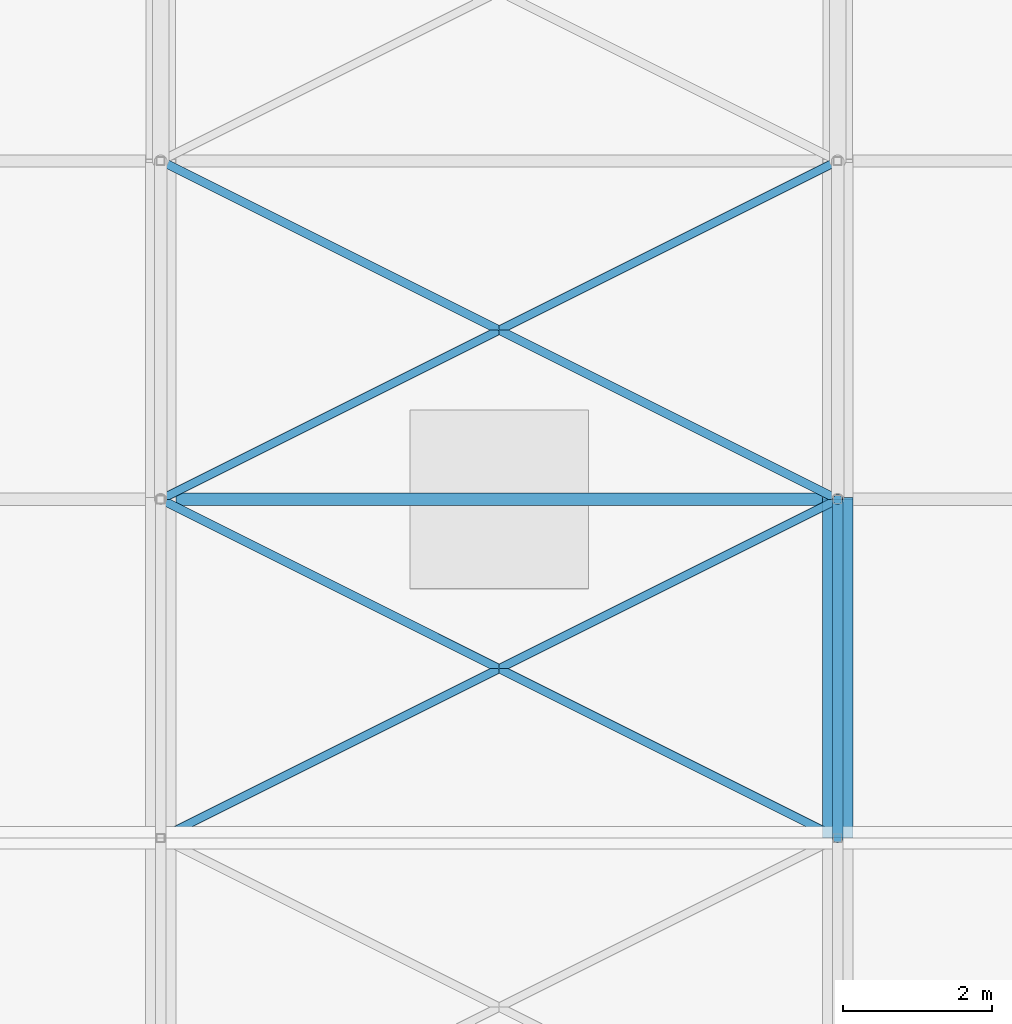
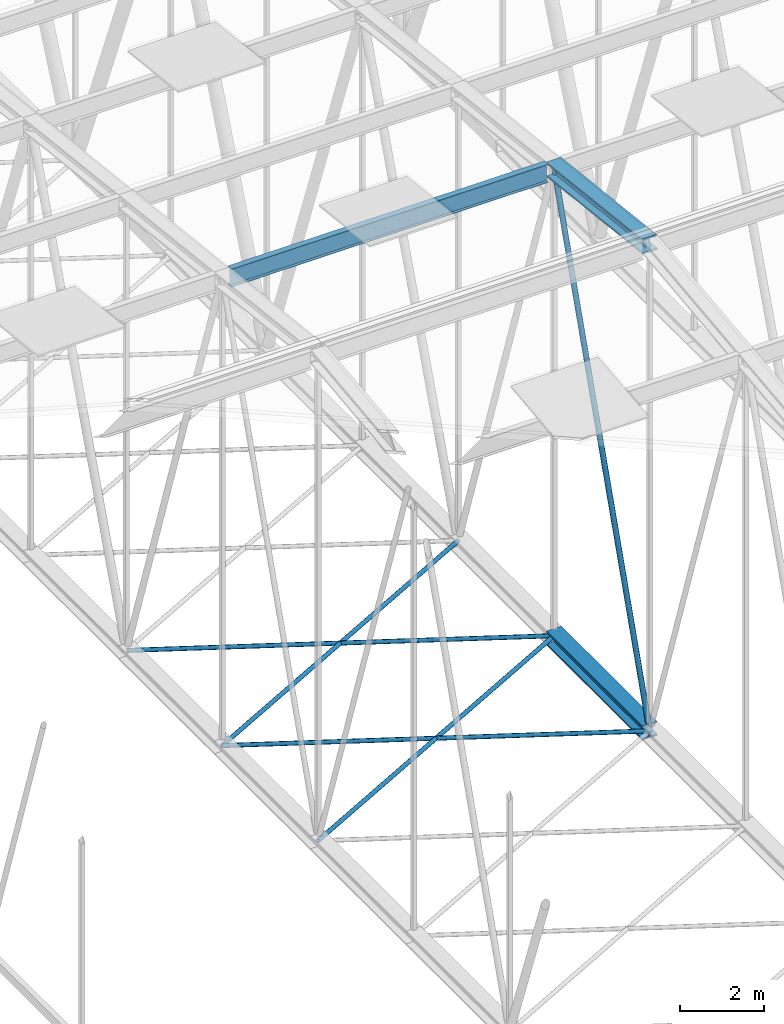
# One storey, part 201 of 500: 8 members.
"""IFC4 building model written with IfcOpenShell, lengths in metres."""

from ifc_helpers import new_model, si_unit, direction, frame, origin, origin_2d, place, context, subcontext, project, spatial, hollow_circle, i_section, extrude, material, material_profile, profile_set, type_object, element, save


model = new_model("IFC4")

# Units and contexts
model_context = context("Model", 3, precision=1e-05, world=origin(), true_north=direction((0.0, 1.0)))
body_context = subcontext(model_context, "Body", "Model", "MODEL_VIEW")
ifc_project = project(units=[si_unit("LENGTHUNIT", "METRE"), si_unit("AREAUNIT", "SQUARE_METRE"), si_unit("VOLUMEUNIT", "CUBIC_METRE"), si_unit("PLANEANGLEUNIT", "RADIAN"), si_unit("MASSUNIT", "GRAM", prefix="KILO")], contexts=[model_context])

# Site, building, storey
site_placement = place(None, origin())
site = spatial("IfcSite", under=ifc_project, at=site_placement, CompositionType="ELEMENT")
building_placement = place(site_placement, origin())
building = spatial("IfcBuilding", under=site, at=building_placement, Name="Shirokan Park Arena", CompositionType="ELEMENT")
storey_placement = place(building_placement, frame((0.0, 0.0, 29.1201171875)))
storey = spatial("IfcBuildingStorey", under=building, at=storey_placement, Name="L06", CompositionType="ELEMENT", Elevation=29.1201171875)

# Members
ifc_material_1 = material(Name="Steel ASTM A992", Category="steel")
ifc_material_profile_1 = material_profile(ifc_material_1, i_section(OverallWidth=0.406005859375, OverallDepth=0.4169921875, WebThickness=0.030029296875, FlangeThickness=0.048095703125, at=origin_2d()), Name="W360X382")
ifc_profile_set_1 = profile_set([ifc_material_profile_1], Name="Steel ASTM A992")
member_type_1 = type_object("IfcMemberType", Name="Bottom chord W360X382", PredefinedType="CHORD", material=ifc_profile_set_1)
member_1_placement = place(storey_placement, frame((54.60009765625, 54.60009765625, 4.677001953125), z_axis=(0.0, 1.0, 0.0), x_axis=(-1.0, 0.0, 0.0)))
element("IfcMember", 1, at=member_1_placement, inside=storey, type_object=member_type_1, Name="Truss T07 bottom chord 15", PredefinedType="CHORD", context=body_context, shape_type="SweptSolid", body=[
    extrude(i_section(OverallWidth=0.406005859375, OverallDepth=0.4169921875, WebThickness=0.030029296875, FlangeThickness=0.048095703125, at=origin_2d()), origin(), (0.0, 0.0, 1.0), 4.5498046875),
])
ifc_material_2 = material(Name="Steel ASTM A500 Grade C", Category="steel")
ifc_material_profile_2 = material_profile(ifc_material_2, hollow_circle(Radius=0.056884765625, WallThickness=0.006103515625, at=origin_2d()), Name="HSS114.3X6")
ifc_profile_set_2 = profile_set([ifc_material_profile_2], Name="Steel ASTM A500 Grade C")
member_type_2 = type_object("IfcMemberType", Name="Plan bracing HSS114.3X6", PredefinedType="BRACE", material=ifc_profile_set_2)
for number, where, z_axis, x_axis, name in (
    (2, (45.5, 54.60009765625, 4.677001953125), (0.8944367893, 0.447194398385, 0.0), (-0.447194398385, 0.8944367893, 0.0), "Plan bracing bay 6 panel 15 A"),
    (3, (54.60009765625, 54.60009765625, 4.677001953125), (-0.8944367893, 0.447194398385, 0.0), (-0.447194398385, -0.8944367893, 0.0), "Plan bracing bay 6 panel 15 B"),
):
    element("IfcMember", number, at=place(storey_placement, frame(where, z_axis=z_axis, x_axis=x_axis)), inside=storey, type_object=member_type_2, Name=name, PredefinedType="BRACE", context=body_context, shape_type="SweptSolid", body=[
        extrude(hollow_circle(Radius=0.056884765625, WallThickness=0.006103515625, at=origin_2d()), origin(), (0.0, 0.0, 1.0), 10.174072265625),
    ])
for number, where, z_axis, x_axis, name in (
    (4, (45.5, 59.14990234375, 4.677001953125), (0.894427191, 0.4472135955, 0.0), (-0.4472135955, 0.894427191, 0.0), "Plan bracing bay 6 panel 16 A"),
    (5, (54.60009765625, 59.14990234375, 4.677001953125), (-0.894427191, 0.4472135955, 0.0), (-0.4472135955, -0.894427191, 0.0), "Plan bracing bay 6 panel 16 B"),
):
    element("IfcMember", number, at=place(storey_placement, frame(where, z_axis=z_axis, x_axis=x_axis)), inside=storey, type_object=member_type_2, Name=name, PredefinedType="BRACE", context=body_context, shape_type="SweptSolid", body=[
        extrude(hollow_circle(Radius=0.056884765625, WallThickness=0.006103515625, at=origin_2d()), origin(), (0.0, 0.0, 1.0), 10.17431640625),
    ])
ifc_material_profile_3 = material_profile(ifc_material_1, i_section(OverallWidth=0.166015625, OverallDepth=0.528076171875, WebThickness=0.009765625, FlangeThickness=0.013671875, at=origin_2d()), Name="W530X74")
ifc_profile_set_3 = profile_set([ifc_material_profile_3], Name="Steel ASTM A992")
member_type_3 = type_object("IfcMemberType", Name="Purlin W530X74", PredefinedType="PURLIN", material=ifc_profile_set_3)
member_2_placement = place(storey_placement, frame((45.702880859375, 59.14990234375, 18.205810546875), z_axis=(1.0, 0.0, 0.0), x_axis=(0.0, 1.0, 0.0)))
element("IfcMember", 6, at=member_2_placement, inside=storey, type_object=member_type_3, Name="Purlin 16 bay 6", PredefinedType="PURLIN", context=body_context, shape_type="SweptSolid", body=[
    extrude(i_section(OverallWidth=0.166015625, OverallDepth=0.528076171875, WebThickness=0.009765625, FlangeThickness=0.013671875, at=origin_2d()), origin(), (0.0, 0.0, 1.0), 8.694091796875),
])
ifc_material_profile_4 = material_profile(ifc_material_1, i_section(OverallWidth=0.406005859375, OverallDepth=0.4169921875, WebThickness=0.030029296875, FlangeThickness=0.048095703125, at=origin_2d()), Name="W360X382")
ifc_profile_set_4 = profile_set([ifc_material_profile_4], Name="Steel ASTM A992")
member_type_4 = type_object("IfcMemberType", Name="Top chord W360X382", PredefinedType="CHORD", material=ifc_profile_set_4)
member_3_placement = place(storey_placement, frame((54.60009765625, 54.60009765625, 18.781494140625), z_axis=(0.0, 0.993531641592, -0.11355561261), x_axis=(-1.0, 0.0, 0.0)))
element("IfcMember", 7, at=member_3_placement, inside=storey, type_object=member_type_4, Name="Truss T07 top chord 15", PredefinedType="CHORD", context=body_context, shape_type="SweptSolid", body=[
    extrude(i_section(OverallWidth=0.406005859375, OverallDepth=0.4169921875, WebThickness=0.030029296875, FlangeThickness=0.048095703125, at=origin_2d()), origin(), (0.0, 0.0, 1.0), 4.579345703125),
])
ifc_material_profile_5 = material_profile(ifc_material_2, hollow_circle(Radius=0.070556640625, WallThickness=0.006591796875, at=origin_2d()), Name="HSS141.3X6.6")
ifc_profile_set_5 = profile_set([ifc_material_profile_5], Name="Steel ASTM A500 Grade C")
member_type_5 = type_object("IfcMemberType", Name="Truss diagonal HSS141.3X6.6", PredefinedType="BRACE", material=ifc_profile_set_5)
member_4_placement = place(storey_placement, frame((54.60009765625, 54.60009765625, 4.677001953125), z_axis=(0.0, 0.317587361237, 0.948229016632), x_axis=(-1.0, 0.0, 0.0)))
element("IfcMember", 8, at=member_4_placement, inside=storey, type_object=member_type_5, Name="Truss T07 diagonal 15", PredefinedType="BRACE", context=body_context, shape_type="SweptSolid", body=[
    extrude(hollow_circle(Radius=0.070556640625, WallThickness=0.006591796875, at=origin_2d()), origin(), (0.0, 0.0, 1.0), 14.326171875),
])

save(model, "model.ifc")
